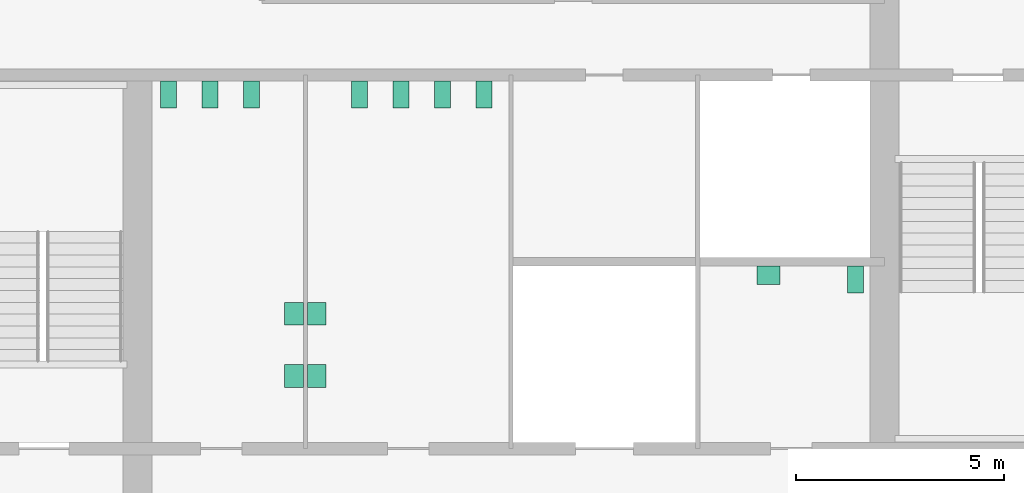
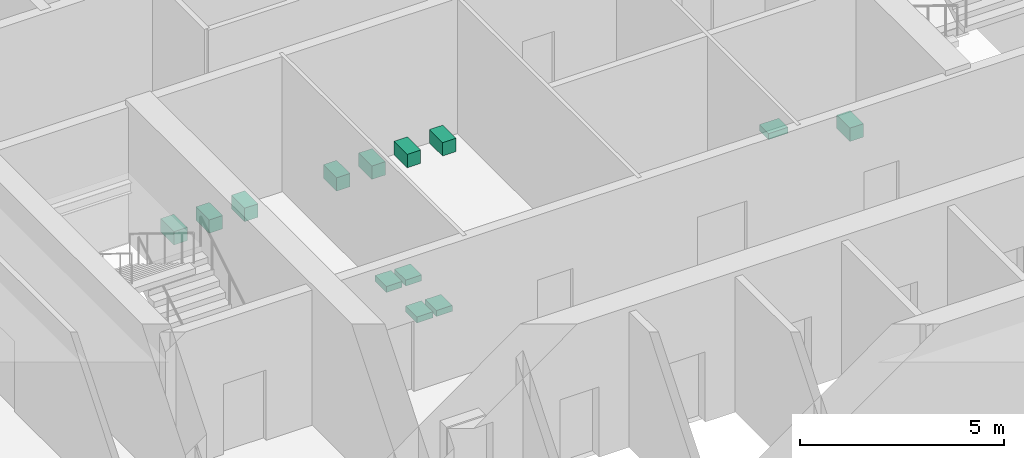
# One storey, part 12 of 12: 13 sanitary terminals.
"""IFC4 building model written with IfcOpenShell, lengths in metres."""

from ifc_helpers import new_model, si_unit, direction, frame, origin, origin_2d, place, context, subcontext, project, spatial, rectangle, extrude, material, type_object, element, save


model = new_model("IFC4")

# Units and contexts
model_context = context("Model", 3, precision=1e-05, world=origin(), true_north=direction((0.0, 1.0)))
body_context = subcontext(model_context, "Body", "Model", "MODEL_VIEW")
ifc_project = project(units=[si_unit("LENGTHUNIT", "METRE"), si_unit("AREAUNIT", "SQUARE_METRE"), si_unit("VOLUMEUNIT", "CUBIC_METRE"), si_unit("PLANEANGLEUNIT", "RADIAN"), si_unit("MASSUNIT", "GRAM", prefix="KILO")], contexts=[model_context])

# Site, building, storey
site_placement = place(None, origin())
site = spatial("IfcSite", under=ifc_project, at=site_placement, CompositionType="ELEMENT")
building_placement = place(site_placement, origin())
building = spatial("IfcBuilding", under=site, at=building_placement, Name="Corais Broadcast Tower", CompositionType="ELEMENT")
storey_placement = place(building_placement, frame((0.0, 0.0, 92.0)))
storey = spatial("IfcBuildingStorey", under=building, at=storey_placement, Name="L20", CompositionType="ELEMENT", Elevation=92.0)

# Sanitary terminals
ifc_material_1 = material(Name="Vitreous china", Category="ceramic")
sanitary_terminal_type_1 = type_object("IfcSanitaryTerminalType", Name="WC pan 380x650", PredefinedType="TOILETPAN", material=ifc_material_1)
for number, where, z_axis, x_axis, name in (
    (1, (18.75, 31.02490234375, 0.0), (0.0, 0.0, 1.0), (1.0, 0.0, 0.0), "SW1 WC pan, male toilets L20"),
    (2, (19.75, 31.02490234375, 0.0), (0.0, 0.0, 1.0), (1.0, 0.0, 0.0), "SW1 WC pan, male toilets L20"),
    (3, (20.75, 31.02490234375, 0.0), (0.0, 0.0, 1.0), (1.0, 0.0, 0.0), "SW1 WC pan, male toilets L20"),
    (4, (23.35009765625, 31.02490234375, 0.0), (0.0, 0.0, 1.0), (1.0, 0.0, 0.0), "SW1 WC pan, female toilets L20"),
    (5, (24.35009765625, 31.02490234375, 0.0), (0.0, 0.0, 1.0), (1.0, 0.0, 0.0), "SW1 WC pan, female toilets L20"),
    (6, (25.35009765625, 31.02490234375, 0.0), (0.0, 0.0, 1.0), (1.0, 0.0, 0.0), "SW1 WC pan, female toilets L20"),
    (7, (26.35009765625, 31.02490234375, 0.0), (0.0, 0.0, 1.0), (1.0, 0.0, 0.0), "SW1 WC pan, female toilets L20"),
    (8, (35.300048828125, 26.574951171875, 0.0), (0.0, 0.0, 1.0), (1.0, 0.0, 0.0), "SW1 WC pan, accessible WC L20"),
):
    element("IfcSanitaryTerminal", number, at=place(storey_placement, frame(where, z_axis=z_axis, x_axis=x_axis)), inside=storey, type_object=sanitary_terminal_type_1, Name=name, PredefinedType="TOILETPAN", context=body_context, shape_type="SweptSolid", body=[
        extrude(rectangle(XDim=0.3798828125, YDim=0.64990234375, at=origin_2d()), origin(), (0.0, 0.0, 1.0), 0.39990234375),
    ])
ifc_material_2 = material(Name="Vitreous china", Category="ceramic")
sanitary_terminal_type_2 = type_object("IfcSanitaryTerminalType", Name="Wash basin 550x450", PredefinedType="WASHHANDBASIN", material=ifc_material_2)
for number, where, z_axis, x_axis, name in (
    (9, (21.77490234375, 24.25, 0.7001953125), (0.0, 0.0, 1.0), (1.0, 0.0, 0.0), "WB1 wash basin, male toilets L20"),
    (10, (21.77490234375, 25.75, 0.7001953125), (0.0, 0.0, 1.0), (1.0, 0.0, 0.0), "WB1 wash basin, male toilets L20"),
    (11, (22.324951171875, 24.25, 0.7001953125), (0.0, 0.0, 1.0), (1.0, 0.0, 0.0), "WB1 wash basin, female toilets L20"),
    (12, (22.324951171875, 25.75, 0.7001953125), (0.0, 0.0, 1.0), (1.0, 0.0, 0.0), "WB1 wash basin, female toilets L20"),
):
    element("IfcSanitaryTerminal", number, at=place(storey_placement, frame(where, z_axis=z_axis, x_axis=x_axis)), inside=storey, type_object=sanitary_terminal_type_2, Name=name, PredefinedType="WASHHANDBASIN", context=body_context, shape_type="SweptSolid", body=[
        extrude(rectangle(XDim=0.449951171875, YDim=0.550048828125, at=origin_2d()), origin(), (0.0, 0.0, 1.0), 0.179931640625),
    ])
sanitary_terminal_placement = place(storey_placement, frame((33.199951171875, 26.675048828125, 0.7001953125), z_axis=(0.0, 0.0, 1.0), x_axis=(1.0, 0.0, 0.0)))
element("IfcSanitaryTerminal", 13, at=sanitary_terminal_placement, inside=storey, type_object=sanitary_terminal_type_2, Name="WB1 wash basin, accessible WC L20", PredefinedType="WASHHANDBASIN", context=body_context, shape_type="SweptSolid", body=[
    extrude(rectangle(XDim=0.550048828125, YDim=0.449951171875, at=origin_2d()), origin(), (0.0, 0.0, 1.0), 0.179931640625),
])

save(model, "model.ifc")
